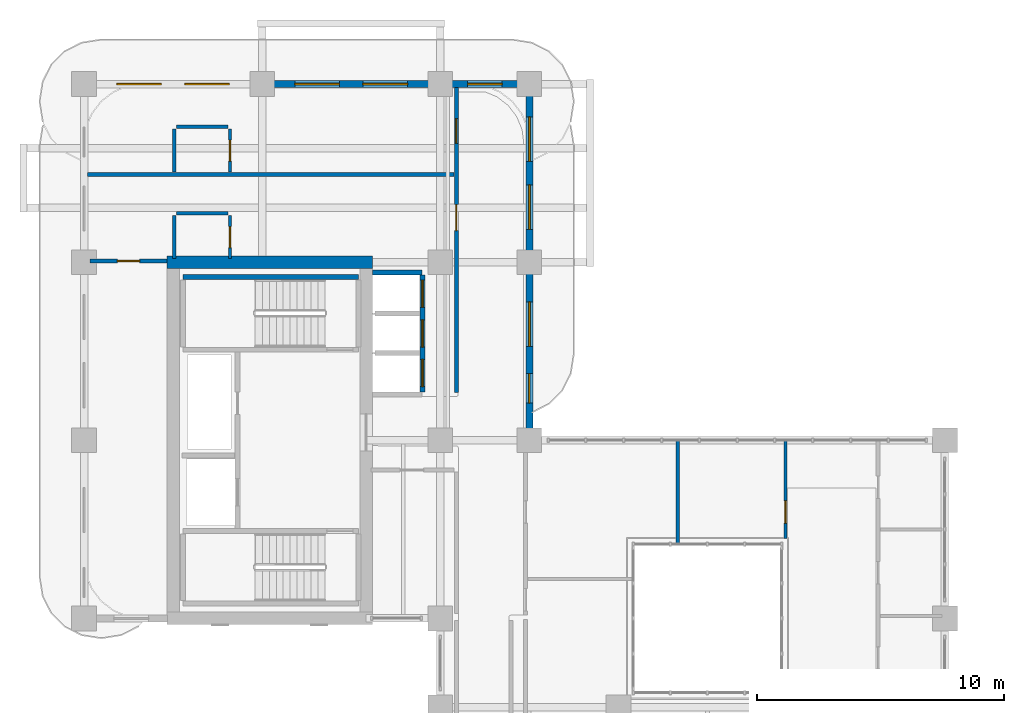
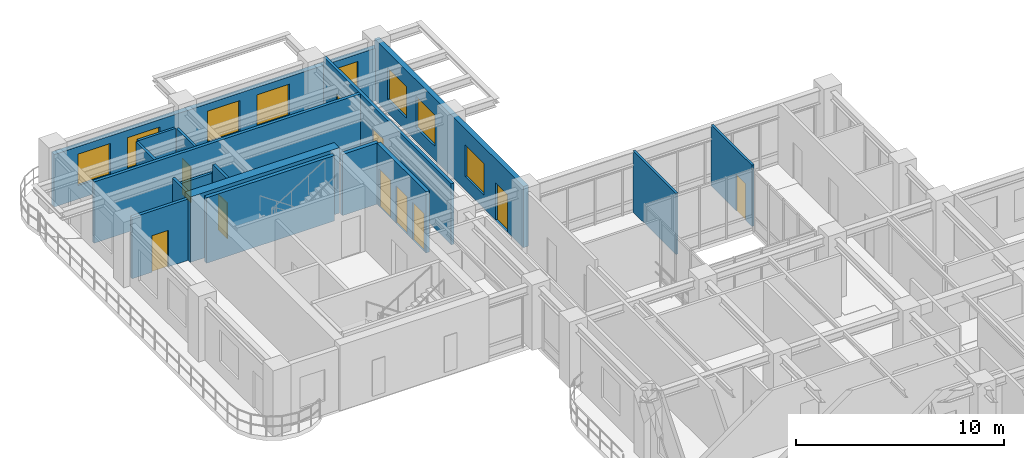
# One storey, part 15 of 20: 17 walls, 10 doors, 8 windows, 18 openings.
"""IFC4 building model written with IfcOpenShell, lengths in metres."""

from ifc_helpers import new_model, si_unit, derived_unit, direction, frame, frame_2d, origin, place, context, subcontext, project, spatial, rectangle, extrude, source, transform, mapped, material, layer, layer_set, type_object, type_shapes, element, fill, save


model = new_model("IFC4")

# Units and contexts
model_context = context("Model", 3, precision=1e-05, world=origin(), true_north=direction((0.0, 1.0)))
body_context = subcontext(model_context, "Body", "Model", "MODEL_VIEW")
ifc_project = project(units=[si_unit("LENGTHUNIT", "METRE"), si_unit("AREAUNIT", "SQUARE_METRE"), si_unit("VOLUMEUNIT", "CUBIC_METRE"), si_unit("PLANEANGLEUNIT", "RADIAN"), si_unit("MASSUNIT", "GRAM", prefix="KILO"), si_unit("THERMODYNAMICTEMPERATUREUNIT", "KELVIN"), si_unit("POWERUNIT", "WATT"), derived_unit("THERMALTRANSMITTANCEUNIT", [(si_unit("POWERUNIT", "WATT"), 1), (si_unit("AREAUNIT", "SQUARE_METRE"), -1), (si_unit("THERMODYNAMICTEMPERATUREUNIT", "KELVIN"), -1)])], contexts=[model_context])

# Site, building, storey
site_placement = place(None, origin())
site = spatial("IfcSite", under=ifc_project, at=site_placement, CompositionType="ELEMENT")
building_placement = place(site_placement, origin())
building = spatial("IfcBuilding", under=site, at=building_placement, Name="Zahravan Archway Hotel and Residences", CompositionType="ELEMENT")
storey_placement = place(building_placement, frame((0.0, 0.0, 173.39990234375)))
storey = spatial("IfcBuildingStorey", under=building, at=storey_placement, Name="L43", CompositionType="ELEMENT", Elevation=173.39990234375)

# Wall
ifc_material_1 = material(Name="Concrete C60/75", Category="concrete")
ifc_layer_1 = layer(ifc_material_1, 0.5, Name="Concrete C60/75", Category="concrete")
ifc_layer_set_1 = layer_set([ifc_layer_1], Name="Concrete C60/75")
wall_type_1 = type_object("IfcWallType", Name="CW-CORE-500", PredefinedType="SHEAR", material=ifc_layer_set_1)
wall_1_placement = place(storey_placement, frame((3.35009765625, 39.60009765625, 0.0), z_axis=(0.0, 0.0, 1.0), x_axis=(1.0, 0.0, 0.0)))
element("IfcWall", 1, at=wall_1_placement, inside=storey, type_object=wall_type_1, Name="L43 Core B Shear N Wall 500 mm", PredefinedType="SHEAR", context=body_context, shape_type="SweptSolid", body=[
    extrude(rectangle(XDim=8.2998046875, YDim=0.5, at=frame_2d((4.14990234375, 0.0))), origin(), (0.0, 0.0, 1.0), 3.85009765625),
])

# Wall, openings, windows
ifc_material_2 = material(Name="Honed Red-Ochre Sandstone & Insulated Block", Category="masonry")
ifc_layer_2 = layer(ifc_material_2, 0.280029296875, Name="Honed Red-Ochre Sandstone & Insulated Block", Category="masonry")
ifc_layer_set_2 = layer_set([ifc_layer_2], Name="Honed Red-Ochre Sandstone & Insulated Block")
wall_type_2 = type_object("IfcWallType", Name="EW-LOG-280", PredefinedType="SOLIDWALL", material=ifc_layer_set_2)
wall_2_placement = place(storey_placement, frame((0.0, 46.800048828125, 0.0), z_axis=(0.0, 0.0, 1.0), x_axis=(1.0, 0.0, 0.0)))
wall_2 = element("IfcWall", 2, at=wall_2_placement, inside=storey, type_object=wall_type_2, Name="L43 Exterior Sandstone Wall WB-N", PredefinedType="SOLIDWALL", context=body_context, shape_type="SweptSolid", body=[
    extrude(rectangle(XDim=18.0, YDim=0.280029296875, at=frame_2d((9.0, 0.0))), origin(), (0.0, 0.0, 1.0), 3.085205078125),
])
opening_1_placement = place(wall_2_placement, frame((1.324951171875, 0.0, 0.800048828125)))
opening_1 = element("IfcOpeningElement", 3, at=opening_1_placement, cuts=wall_2, Name="Opening W-02", PredefinedType="OPENING", context=body_context, shape_type="SweptSolid", body=[
    extrude(rectangle(XDim=1.800048828125, YDim=1.85009765625, at=frame_2d((0.89990234375, 0.925048828125))), frame((0.0, 0.14990234375, 0.0), z_axis=(0.0, -1.0, 0.0), x_axis=(1.0, 0.0, 0.0)), (0.0, 0.0, 1.0), 0.300048828125),
])
opening_2_placement = place(wall_2_placement, frame((4.074951171875, 0.0, 0.800048828125)))
opening_2 = element("IfcOpeningElement", 4, at=opening_2_placement, cuts=wall_2, Name="Opening W-02", PredefinedType="OPENING", context=body_context, shape_type="SweptSolid", body=[
    extrude(rectangle(XDim=1.800048828125, YDim=1.85009765625, at=frame_2d((0.89990234375, 0.925048828125))), frame((0.0, 0.14990234375, 0.0), z_axis=(0.0, -1.0, 0.0), x_axis=(1.0, 0.0, 0.0)), (0.0, 0.0, 1.0), 0.300048828125),
])
opening_3_placement = place(wall_2_placement, frame((8.52490234375, 0.0, 0.800048828125)))
opening_3 = element("IfcOpeningElement", 5, at=opening_3_placement, cuts=wall_2, Name="Opening W-02", PredefinedType="OPENING", context=body_context, shape_type="SweptSolid", body=[
    extrude(rectangle(XDim=1.800048828125, YDim=1.85009765625, at=frame_2d((0.89990234375, 0.925048828125))), frame((0.0, 0.14990234375, 0.0), z_axis=(0.0, -1.0, 0.0), x_axis=(1.0, 0.0, 0.0)), (0.0, 0.0, 1.0), 0.300048828125),
])
opening_4_placement = place(wall_2_placement, frame((11.27490234375, 0.0, 0.800048828125)))
opening_4 = element("IfcOpeningElement", 6, at=opening_4_placement, cuts=wall_2, Name="Opening W-02", PredefinedType="OPENING", context=body_context, shape_type="SweptSolid", body=[
    extrude(rectangle(XDim=1.800048828125, YDim=1.85009765625, at=frame_2d((0.89990234375, 0.925048828125))), frame((0.0, 0.14990234375, 0.0), z_axis=(0.0, -1.0, 0.0), x_axis=(1.0, 0.0, 0.0)), (0.0, 0.0, 1.0), 0.300048828125),
])
opening_5_placement = place(wall_2_placement, frame((15.5, 0.0, 0.800048828125)))
opening_5 = element("IfcOpeningElement", 7, at=opening_5_placement, cuts=wall_2, Name="Opening W-03", PredefinedType="OPENING", context=body_context, shape_type="SweptSolid", body=[
    extrude(rectangle(XDim=1.39990234375, YDim=1.85009765625, at=frame_2d((0.699951171875, 0.925048828125))), frame((0.0, 0.14990234375, 0.0), z_axis=(0.0, -1.0, 0.0), x_axis=(1.0, 0.0, 0.0)), (0.0, 0.0, 1.0), 0.300048828125),
])
ifc_material_3 = material(Name="Bronze-Anodized Thermal-Break Aluminium & Low-E Glass", Category="aluminium")
window_type_1 = type_object("IfcWindowType", Name="WIN-TWR-1400", PartitioningType="SINGLE_PANEL", PredefinedType="WINDOW", material=ifc_material_3)
shared_shape_1 = source(origin(), body_context, "Body", "SweptSolid", [
    extrude(rectangle(XDim=1.39990234375, YDim=1.85009765625, at=frame_2d((0.699951171875, 0.925048828125))), frame((0.0, 0.030029296875, 0.0), z_axis=(0.0, -1.0, 0.0), x_axis=(1.0, 0.0, 0.0)), (0.0, 0.0, 1.0), 0.06005859375),
])
type_shapes(window_type_1, [shared_shape_1])
window_1_placement = place(opening_5_placement, origin())
window_1 = element("IfcWindow", 8, at=window_1_placement, inside=storey, type_object=window_type_1, Name="L43 Loggia Window 31", OverallHeight=1.85009765625, OverallWidth=1.39990234375, PartitioningType="SINGLE_PANEL", PredefinedType="WINDOW", context=body_context, shape_type="MappedRepresentation", body=[
    mapped(shared_shape_1, transform((0.0, 0.0, 0.0), scale=1.0)),
])
fill(opening_5, window_1)
window_type_2 = type_object("IfcWindowType", Name="WIN-TWR-1800", PartitioningType="DOUBLE_PANEL_VERTICAL", PredefinedType="WINDOW", material=ifc_material_3)
shared_shape_2 = source(origin(), body_context, "Body", "SweptSolid", [
    extrude(rectangle(XDim=1.800048828125, YDim=1.85009765625, at=frame_2d((0.89990234375, 0.925048828125))), frame((0.0, 0.030029296875, 0.0), z_axis=(0.0, -1.0, 0.0), x_axis=(1.0, 0.0, 0.0)), (0.0, 0.0, 1.0), 0.06005859375),
])
type_shapes(window_type_2, [shared_shape_2])
window_2_placement = place(opening_1_placement, origin())
window_2 = element("IfcWindow", 9, at=window_2_placement, inside=storey, type_object=window_type_2, Name="L43 Loggia Window 27", OverallHeight=1.85009765625, OverallWidth=1.800048828125, PartitioningType="DOUBLE_PANEL_VERTICAL", PredefinedType="WINDOW", context=body_context, shape_type="MappedRepresentation", body=[
    mapped(shared_shape_2, transform((0.0, 0.0, 0.0), scale=1.0)),
])
fill(opening_1, window_2)
window_3_placement = place(opening_2_placement, origin())
window_3 = element("IfcWindow", 10, at=window_3_placement, inside=storey, type_object=window_type_2, Name="L43 Loggia Window 28", OverallHeight=1.85009765625, OverallWidth=1.800048828125, PartitioningType="DOUBLE_PANEL_VERTICAL", PredefinedType="WINDOW", context=body_context, shape_type="MappedRepresentation", body=[
    mapped(shared_shape_2, transform((0.0, 0.0, 0.0), scale=1.0)),
])
fill(opening_2, window_3)
window_4_placement = place(opening_3_placement, origin())
window_4 = element("IfcWindow", 11, at=window_4_placement, inside=storey, type_object=window_type_2, Name="L43 Loggia Window 29", OverallHeight=1.85009765625, OverallWidth=1.800048828125, PartitioningType="DOUBLE_PANEL_VERTICAL", PredefinedType="WINDOW", context=body_context, shape_type="MappedRepresentation", body=[
    mapped(shared_shape_2, transform((0.0, 0.0, 0.0), scale=1.0)),
])
fill(opening_3, window_4)
window_5_placement = place(opening_4_placement, origin())
window_5 = element("IfcWindow", 12, at=window_5_placement, inside=storey, type_object=window_type_2, Name="L43 Loggia Window 30", OverallHeight=1.85009765625, OverallWidth=1.800048828125, PartitioningType="DOUBLE_PANEL_VERTICAL", PredefinedType="WINDOW", context=body_context, shape_type="MappedRepresentation", body=[
    mapped(shared_shape_2, transform((0.0, 0.0, 0.0), scale=1.0)),
])
fill(opening_4, window_5)

# Wall, openings, door, windows
wall_3_placement = place(storey_placement, frame((18.0, 32.39990234375, 0.0), z_axis=(0.0, 0.0, 1.0), x_axis=(0.0, 1.0, 0.0)))
wall_3 = element("IfcWall", 13, at=wall_3_placement, inside=storey, type_object=wall_type_2, Name="L43 Exterior Sandstone Wall WB-EU", PredefinedType="SOLIDWALL", context=body_context, shape_type="SweptSolid", body=[
    extrude(rectangle(XDim=14.35009765625, YDim=0.280029296875, at=frame_2d((7.175048828125, 0.0))), origin(), (0.0, 0.0, 1.0), 3.60009765625),
])
opening_6_placement = place(wall_3_placement, frame((1.5, 0.0, 0.0)))
opening_6 = element("IfcOpeningElement", 14, at=opening_6_placement, cuts=wall_3, Name="Opening ED-BL1", PredefinedType="OPENING", context=body_context, shape_type="SweptSolid", body=[
    extrude(rectangle(XDim=1.199951171875, YDim=2.199951171875, at=frame_2d((0.60009765625, 1.10009765625))), frame((0.0, 0.14990234375, 0.0), z_axis=(0.0, -1.0, 0.0), x_axis=(1.0, 0.0, 0.0)), (0.0, 0.0, 1.0), 0.300048828125),
])
opening_7_placement = place(wall_3_placement, frame((3.800048828125, 0.0, 0.800048828125)))
opening_7 = element("IfcOpeningElement", 15, at=opening_7_placement, cuts=wall_3, Name="Opening W-02", PredefinedType="OPENING", context=body_context, shape_type="SweptSolid", body=[
    extrude(rectangle(XDim=1.800048828125, YDim=1.85009765625, at=frame_2d((0.89990234375, 0.925048828125))), frame((0.0, 0.14990234375, 0.0), z_axis=(0.0, -1.0, 0.0), x_axis=(1.0, 0.0, 0.0)), (0.0, 0.0, 1.0), 0.300048828125),
])
opening_8_placement = place(wall_3_placement, frame((8.52490234375, 0.0, 0.800048828125)))
opening_8 = element("IfcOpeningElement", 16, at=opening_8_placement, cuts=wall_3, Name="Opening W-02", PredefinedType="OPENING", context=body_context, shape_type="SweptSolid", body=[
    extrude(rectangle(XDim=1.800048828125, YDim=1.85009765625, at=frame_2d((0.89990234375, 0.925048828125))), frame((0.0, 0.14990234375, 0.0), z_axis=(0.0, -1.0, 0.0), x_axis=(1.0, 0.0, 0.0)), (0.0, 0.0, 1.0), 0.300048828125),
])
opening_9_placement = place(wall_3_placement, frame((11.27490234375, 0.0, 0.800048828125)))
opening_9 = element("IfcOpeningElement", 17, at=opening_9_placement, cuts=wall_3, Name="Opening W-02", PredefinedType="OPENING", context=body_context, shape_type="SweptSolid", body=[
    extrude(rectangle(XDim=1.800048828125, YDim=1.85009765625, at=frame_2d((0.89990234375, 0.925048828125))), frame((0.0, 0.14990234375, 0.0), z_axis=(0.0, -1.0, 0.0), x_axis=(1.0, 0.0, 0.0)), (0.0, 0.0, 1.0), 0.300048828125),
])
ifc_material_4 = material(Name="Bronze-Anodized Glazed Aluminium", Category="aluminium")
door_type_1 = type_object("IfcDoorType", Name="ED-BALC-1200", OperationType="SLIDING_TO_LEFT", PredefinedType="DOOR", material=ifc_material_4)
shared_shape_3 = source(origin(), body_context, "Body", "SweptSolid", [
    extrude(rectangle(XDim=1.199951171875, YDim=2.199951171875, at=frame_2d((0.60009765625, 1.10009765625))), frame((0.0, 0.02490234375, 0.0), z_axis=(0.0, -1.0, 0.0), x_axis=(1.0, 0.0, 0.0)), (0.0, 0.0, 1.0), 0.050048828125),
])
type_shapes(door_type_1, [shared_shape_3])
door_1_placement = place(opening_6_placement, origin())
door_1 = element("IfcDoor", 18, at=door_1_placement, inside=storey, type_object=door_type_1, Name="L43 Outdoor Access Sliding Door (SLB-BAL-L43-EB)", OperationType="SLIDING_TO_LEFT", OverallHeight=2.199951171875, OverallWidth=1.199951171875, PredefinedType="DOOR", context=body_context, shape_type="MappedRepresentation", body=[
    mapped(shared_shape_3, transform((0.0, 0.0, 0.0), scale=1.0)),
])
fill(opening_6, door_1)
window_6_placement = place(opening_7_placement, origin())
window_6 = element("IfcWindow", 19, at=window_6_placement, inside=storey, type_object=window_type_2, Name="L43 Loggia Window 32", OverallHeight=1.85009765625, OverallWidth=1.800048828125, PartitioningType="DOUBLE_PANEL_VERTICAL", PredefinedType="WINDOW", context=body_context, shape_type="MappedRepresentation", body=[
    mapped(shared_shape_2, transform((0.0, 0.0, 0.0), scale=1.0)),
])
fill(opening_7, window_6)
window_7_placement = place(opening_8_placement, origin())
window_7 = element("IfcWindow", 20, at=window_7_placement, inside=storey, type_object=window_type_2, Name="L43 Loggia Window 33", OverallHeight=1.85009765625, OverallWidth=1.800048828125, PartitioningType="DOUBLE_PANEL_VERTICAL", PredefinedType="WINDOW", context=body_context, shape_type="MappedRepresentation", body=[
    mapped(shared_shape_2, transform((0.0, 0.0, 0.0), scale=1.0)),
])
fill(opening_8, window_7)
window_8_placement = place(opening_9_placement, origin())
window_8 = element("IfcWindow", 21, at=window_8_placement, inside=storey, type_object=window_type_2, Name="L43 Loggia Window 34", OverallHeight=1.85009765625, OverallWidth=1.800048828125, PartitioningType="DOUBLE_PANEL_VERTICAL", PredefinedType="WINDOW", context=body_context, shape_type="MappedRepresentation", body=[
    mapped(shared_shape_2, transform((0.0, 0.0, 0.0), scale=1.0)),
])
fill(opening_9, window_8)

# Wall, openings, doors
ifc_material_5 = material(Name="Fire-Rated Gypsum & Concrete Block", Category="concrete")
ifc_layer_3 = layer(ifc_material_5, 0.159912109375, Name="Fire-Rated Gypsum & Concrete Block", Category="concrete")
ifc_layer_set_3 = layer_set([ifc_layer_3], Name="Fire-Rated Gypsum & Concrete Block")
wall_type_3 = type_object("IfcWallType", Name="PW-CORR-160", PredefinedType="PARTITIONING", material=ifc_layer_set_3)
wall_4_placement = place(storey_placement, frame((15.050048828125, 34.340087890625, 0.0), z_axis=(0.0, 0.0, 1.0), x_axis=(0.0, 1.0, 0.0)))
wall_4 = element("IfcWall", 22, at=wall_4_placement, inside=storey, type_object=wall_type_3, Name="L43 Partition WBN-C", PredefinedType="PARTITIONING", context=body_context, shape_type="SweptSolid", body=[
    extrude(rectangle(XDim=12.31201171875, YDim=0.159912109375, at=frame_2d((6.156005859375, 0.0))), origin(), (0.0, 0.0, 1.0), 3.60009765625),
])
opening_10_placement = place(wall_4_placement, frame((6.534912109375, 0.0, 0.0)))
opening_10 = element("IfcOpeningElement", 23, at=opening_10_placement, cuts=wall_4, Name="Opening D-U1", PredefinedType="OPENING", context=body_context, shape_type="SweptSolid", body=[
    extrude(rectangle(XDim=1.050048828125, YDim=2.25, at=frame_2d((0.52490234375, 1.125))), frame((0.0, 0.08984375, 0.0), z_axis=(0.0, -1.0, 0.0), x_axis=(1.0, 0.0, 0.0)), (0.0, 0.0, 1.0), 0.179931640625),
])
opening_11_placement = place(wall_4_placement, frame((10.06005859375, 0.0, 0.0)))
opening_11 = element("IfcOpeningElement", 24, at=opening_11_placement, cuts=wall_4, Name="Opening D-U2", PredefinedType="OPENING", context=body_context, shape_type="SweptSolid", body=[
    extrude(rectangle(XDim=1.0, YDim=2.199951171875, at=frame_2d((0.5, 1.10009765625))), frame((0.0, 0.08984375, 0.0), z_axis=(0.0, -1.0, 0.0), x_axis=(1.0, 0.0, 0.0)), (0.0, 0.0, 1.0), 0.179931640625),
])
ifc_material_6 = material(Name="Hardwood Veneer Timber", Category="wood")
door_type_2 = type_object("IfcDoorType", Name="ID-UNIT-1050", OperationType="NOTDEFINED", PredefinedType="DOOR", material=ifc_material_6)
shared_shape_4 = source(origin(), body_context, "Body", "SweptSolid", [
    extrude(rectangle(XDim=1.050048828125, YDim=2.25, at=frame_2d((0.52490234375, 1.125))), frame((0.0, 0.02490234375, 0.0), z_axis=(0.0, -1.0, 0.0), x_axis=(1.0, 0.0, 0.0)), (0.0, 0.0, 1.0), 0.050048828125),
])
type_shapes(door_type_2, [shared_shape_4])
door_2_placement = place(opening_10_placement, origin())
door_2 = element("IfcDoor", 25, at=door_2_placement, inside=storey, type_object=door_type_2, Name="L43 Hotel Guestroom 76 Entrance Door", OperationType="SINGLE_SWING_RIGHT", OverallHeight=2.25, OverallWidth=1.050048828125, PredefinedType="DOOR", context=body_context, shape_type="MappedRepresentation", body=[
    mapped(shared_shape_4, transform((0.0, 0.0, 0.0), scale=1.0)),
])
fill(opening_10, door_2)
door_type_3 = type_object("IfcDoorType", Name="ID-UNIT-1000", OperationType="NOTDEFINED", PredefinedType="DOOR", material=ifc_material_6)
shared_shape_5 = source(origin(), body_context, "Body", "SweptSolid", [
    extrude(rectangle(XDim=1.0, YDim=2.199951171875, at=frame_2d((0.5, 1.10009765625))), frame((0.0, 0.02490234375, 0.0), z_axis=(0.0, -1.0, 0.0), x_axis=(1.0, 0.0, 0.0)), (0.0, 0.0, 1.0), 0.050048828125),
])
type_shapes(door_type_3, [shared_shape_5])
door_3_placement = place(opening_11_placement, origin())
door_3 = element("IfcDoor", 26, at=door_3_placement, inside=storey, type_object=door_type_3, Name="L43 Hotel Guestroom 77 Entrance Door", OperationType="SINGLE_SWING_LEFT", OverallHeight=2.199951171875, OverallWidth=1.0, PredefinedType="DOOR", context=body_context, shape_type="MappedRepresentation", body=[
    mapped(shared_shape_5, transform((0.0, 0.0, 0.0), scale=1.0)),
])
fill(opening_11, door_3)

# Wall
ifc_material_7 = material(Name="Acoustic Stud Partition")
ifc_layer_4 = layer(ifc_material_7, 0.125, Name="Acoustic Stud Partition")
ifc_layer_set_4 = layer_set([ifc_layer_4], Name="Acoustic Stud Partition")
wall_type_4 = type_object("IfcWallType", Name="PW-INT-125", PredefinedType="PARTITIONING", material=ifc_layer_set_4)
wall_5_placement = place(storey_placement, frame((24.0, 28.22802734375, 0.0), z_axis=(0.0, 0.0, 1.0), x_axis=(0.0, 1.0, 0.0)))
element("IfcWall", 27, at=wall_5_placement, inside=storey, type_object=wall_type_4, Name="L43 Partition ATR-NW3B", PredefinedType="PARTITIONING", context=body_context, shape_type="SweptSolid", body=[
    extrude(rectangle(XDim=4.14404296875, YDim=0.125, at=frame_2d((2.072021484375, 0.0))), origin(), (0.0, 0.0, 1.0), 3.60009765625),
])

# Wall, opening, door
wall_6_placement = place(storey_placement, frame((28.35009765625, 28.43994140625, 0.0), z_axis=(0.0, 0.0, 1.0), x_axis=(0.0, 1.0, 0.0)))
wall_6 = element("IfcWall", 28, at=wall_6_placement, inside=storey, type_object=wall_type_4, Name="L43 Partition ATR-NWE", PredefinedType="PARTITIONING", context=body_context, shape_type="SweptSolid", body=[
    extrude(rectangle(XDim=3.93212890625, YDim=0.125, at=frame_2d((1.966064453125, 0.0))), origin(), (0.0, 0.0, 1.0), 3.60009765625),
])
opening_12_placement = place(wall_6_placement, frame((0.610107421875, 0.0, 0.0)))
opening_12 = element("IfcOpeningElement", 29, at=opening_12_placement, cuts=wall_6, Name="Opening D-I2", PredefinedType="OPENING", context=body_context, shape_type="SweptSolid", body=[
    extrude(rectangle(XDim=0.89990234375, YDim=2.14990234375, at=frame_2d((0.449951171875, 1.074951171875))), frame((0.0, 0.072509765625, 0.0), z_axis=(0.0, -1.0, 0.0), x_axis=(1.0, 0.0, 0.0)), (0.0, 0.0, 1.0), 0.14501953125),
])
door_type_4 = type_object("IfcDoorType", Name="ID-INT-900", OperationType="NOTDEFINED", PredefinedType="DOOR", material=ifc_material_6)
shared_shape_6 = source(origin(), body_context, "Body", "SweptSolid", [
    extrude(rectangle(XDim=0.89990234375, YDim=2.14990234375, at=frame_2d((0.449951171875, 1.074951171875))), frame((0.0, 0.02490234375, 0.0), z_axis=(0.0, -1.0, 0.0), x_axis=(1.0, 0.0, 0.0)), (0.0, 0.0, 1.0), 0.050048828125),
])
type_shapes(door_type_4, [shared_shape_6])
door_4_placement = place(opening_12_placement, origin())
door_4 = element("IfcDoor", 30, at=door_4_placement, inside=storey, type_object=door_type_4, Name="L43 Atrium NE Study Door", OperationType="SINGLE_SWING_RIGHT", OverallHeight=2.14990234375, OverallWidth=0.89990234375, PredefinedType="DOOR", context=body_context, shape_type="MappedRepresentation", body=[
    mapped(shared_shape_6, transform((0.0, 0.0, 0.0), scale=1.0)),
])
fill(opening_12, door_4)

# Wall
ifc_layer_5 = layer(ifc_material_5, 0.199951171875, Name="Fire-Rated Gypsum & Concrete Block", Category="concrete")
ifc_layer_set_5 = layer_set([ifc_layer_5], Name="Fire-Rated Gypsum & Concrete Block")
wall_type_5 = type_object("IfcWallType", Name="PW-SHAFT-200", PredefinedType="PARTITIONING", material=ifc_layer_set_5)
wall_7_placement = place(storey_placement, frame((11.659912109375, 39.18994140625, 0.0), z_axis=(0.0, 0.0, 1.0), x_axis=(1.0, 0.0, 0.0)))
element("IfcWall", 31, at=wall_7_placement, inside=storey, type_object=wall_type_5, Name="L43 Partition B2-N", PredefinedType="PARTITIONING", context=body_context, shape_type="SweptSolid", body=[
    extrude(rectangle(XDim=2.010009765625, YDim=0.199951171875, at=frame_2d((1.0048828125, 0.0))), origin(), (0.0, 0.0, 1.0), 3.60009765625),
])

# Wall, openings, doors
wall_8_placement = place(storey_placement, frame((13.679931640625, 34.360107421875, 0.0), z_axis=(0.0, 0.0, 1.0), x_axis=(0.0, 1.0, 0.0)))
wall_8 = element("IfcWall", 32, at=wall_8_placement, inside=storey, type_object=wall_type_5, Name="L43 Partition B2-E", PredefinedType="PARTITIONING", context=body_context, shape_type="SweptSolid", body=[
    extrude(rectangle(XDim=4.719970703125, YDim=0.199951171875, at=frame_2d((2.35986328125, 0.0))), origin(), (0.0, 0.0, 1.0), 3.60009765625),
])
opening_13_placement = place(wall_8_placement, frame((0.2099609375, 0.0, 0.0)))
opening_13 = element("IfcOpeningElement", 33, at=opening_13_placement, cuts=wall_8, Name="Opening LD", PredefinedType="OPENING", context=body_context, shape_type="SweptSolid", body=[
    extrude(rectangle(XDim=1.10009765625, YDim=2.199951171875, at=frame_2d((0.550048828125, 1.10009765625))), frame((0.0, 0.10986328125, 0.0), z_axis=(0.0, -1.0, 0.0), x_axis=(1.0, 0.0, 0.0)), (0.0, 0.0, 1.0), 0.219970703125),
])
opening_14_placement = place(wall_8_placement, frame((1.81005859375, 0.0, 0.0)))
opening_14 = element("IfcOpeningElement", 34, at=opening_14_placement, cuts=wall_8, Name="Opening LD", PredefinedType="OPENING", context=body_context, shape_type="SweptSolid", body=[
    extrude(rectangle(XDim=1.10009765625, YDim=2.199951171875, at=frame_2d((0.550048828125, 1.10009765625))), frame((0.0, 0.10986328125, 0.0), z_axis=(0.0, -1.0, 0.0), x_axis=(1.0, 0.0, 0.0)), (0.0, 0.0, 1.0), 0.219970703125),
])
opening_15_placement = place(wall_8_placement, frame((3.409912109375, 0.0, 0.0)))
opening_15 = element("IfcOpeningElement", 35, at=opening_15_placement, cuts=wall_8, Name="Opening LD", PredefinedType="OPENING", context=body_context, shape_type="SweptSolid", body=[
    extrude(rectangle(XDim=1.10009765625, YDim=2.199951171875, at=frame_2d((0.550048828125, 1.10009765625))), frame((0.0, 0.10986328125, 0.0), z_axis=(0.0, -1.0, 0.0), x_axis=(1.0, 0.0, 0.0)), (0.0, 0.0, 1.0), 0.219970703125),
])
ifc_material_8 = material(Name="Brushed Stainless Steel", Category="steel")
door_type_5 = type_object("IfcDoorType", Name="DR-LIFT-LD", OperationType="SLIDING_TO_LEFT", PredefinedType="DOOR", material=ifc_material_8)
shared_shape_7 = source(origin(), body_context, "Body", "SweptSolid", [
    extrude(rectangle(XDim=1.10009765625, YDim=2.199951171875, at=frame_2d((0.550048828125, 1.10009765625))), frame((0.0, 0.02490234375, 0.0), z_axis=(0.0, -1.0, 0.0), x_axis=(1.0, 0.0, 0.0)), (0.0, 0.0, 1.0), 0.050048828125),
])
type_shapes(door_type_5, [shared_shape_7])
door_5_placement = place(opening_13_placement, origin())
door_5 = element("IfcDoor", 36, at=door_5_placement, inside=storey, type_object=door_type_5, Name="L43 Lift LP-4 Sliding Landing Door", OperationType="SLIDING_TO_LEFT", OverallHeight=2.199951171875, OverallWidth=1.10009765625, PredefinedType="DOOR", context=body_context, shape_type="MappedRepresentation", body=[
    mapped(shared_shape_7, transform((0.0, 0.0, 0.0), scale=1.0)),
])
fill(opening_13, door_5)
door_6_placement = place(opening_14_placement, origin())
door_6 = element("IfcDoor", 37, at=door_6_placement, inside=storey, type_object=door_type_5, Name="L43 Lift LP-5 Sliding Landing Door", OperationType="SLIDING_TO_LEFT", OverallHeight=2.199951171875, OverallWidth=1.10009765625, PredefinedType="DOOR", context=body_context, shape_type="MappedRepresentation", body=[
    mapped(shared_shape_7, transform((0.0, 0.0, 0.0), scale=1.0)),
])
fill(opening_14, door_6)
door_7_placement = place(opening_15_placement, origin())
door_7 = element("IfcDoor", 38, at=door_7_placement, inside=storey, type_object=door_type_5, Name="L43 Lift LP-6 Sliding Landing Door", OperationType="SLIDING_TO_LEFT", OverallHeight=2.199951171875, OverallWidth=1.10009765625, PredefinedType="DOOR", context=body_context, shape_type="MappedRepresentation", body=[
    mapped(shared_shape_7, transform((0.0, 0.0, 0.0), scale=1.0)),
])
fill(opening_15, door_7)

# Wall, opening, door
ifc_layer_6 = layer(ifc_material_7, 0.169921875, Name="Acoustic Stud Partition")
ifc_layer_set_6 = layer_set([ifc_layer_6], Name="Acoustic Stud Partition")
wall_type_6 = type_object("IfcWallType", Name="PW-UNIT-170", PredefinedType="PARTITIONING", material=ifc_layer_set_6)
wall_9_placement = place(storey_placement, frame((0.239990234375, 39.64990234375, 0.0), z_axis=(0.0, 0.0, 1.0), x_axis=(1.0, 0.0, 0.0)))
wall_9 = element("IfcWall", 39, at=wall_9_placement, inside=storey, type_object=wall_type_6, Name="L43 Partition WBW-N", PredefinedType="PARTITIONING", context=body_context, shape_type="SweptSolid", body=[
    extrude(rectangle(XDim=3.1201171875, YDim=0.169921875, at=frame_2d((1.56005859375, 0.0))), origin(), (0.0, 0.0, 1.0), 3.60009765625),
])
opening_16_placement = place(wall_9_placement, frame((1.110107421875, 0.0, 0.0)))
opening_16 = element("IfcOpeningElement", 40, at=opening_16_placement, cuts=wall_9, Name="Opening D-I2", PredefinedType="OPENING", context=body_context, shape_type="SweptSolid", body=[
    extrude(rectangle(XDim=0.89990234375, YDim=2.14990234375, at=frame_2d((0.449951171875, 1.074951171875))), frame((0.0, 0.094970703125, 0.0), z_axis=(0.0, -1.0, 0.0), x_axis=(1.0, 0.0, 0.0)), (0.0, 0.0, 1.0), 0.18994140625),
])
door_8_placement = place(opening_16_placement, origin())
door_8 = element("IfcDoor", 41, at=door_8_placement, inside=storey, type_object=door_type_4, Name="L43 West Loggia Salon Door", OperationType="SINGLE_SWING_RIGHT", OverallHeight=2.14990234375, OverallWidth=0.89990234375, PredefinedType="DOOR", context=body_context, shape_type="MappedRepresentation", body=[
    mapped(shared_shape_6, transform((0.0, 0.0, 0.0), scale=1.0)),
])
fill(opening_16, door_8)

# Walls
wall_10_placement = place(storey_placement, frame((0.14794921875, 43.14990234375, 0.0), z_axis=(0.0, 0.0, 1.0), x_axis=(1.0, 0.0, 0.0)))
element("IfcWall", 42, at=wall_10_placement, inside=storey, type_object=wall_type_6, Name="L43 Partition WBN-M0", PredefinedType="PARTITIONING", context=body_context, shape_type="SweptSolid", body=[
    extrude(rectangle(XDim=14.81201171875, YDim=0.169921875, at=frame_2d((7.406005859375, 0.0))), origin(), (0.0, 0.0, 1.0), 3.60009765625),
])
ifc_material_9 = material(Name="Moisture-Resistant Blockwork", Category="masonry")
ifc_layer_7 = layer(ifc_material_9, 0.139892578125, Name="Moisture-Resistant Blockwork", Category="masonry")
ifc_layer_set_7 = layer_set([ifc_layer_7], Name="Moisture-Resistant Blockwork")
wall_type_7 = type_object("IfcWallType", Name="PW-WET-140", PredefinedType="PARTITIONING", material=ifc_layer_set_7)
wall_11_placement = place(storey_placement, frame((3.64990234375, 39.739990234375, 0.0), z_axis=(0.0, 0.0, 1.0), x_axis=(0.0, 1.0, 0.0)))
element("IfcWall", 43, at=wall_11_placement, inside=storey, type_object=wall_type_7, Name="L43 Partition HKB-VL76", PredefinedType="PARTITIONING", context=body_context, shape_type="SweptSolid", body=[
    extrude(rectangle(XDim=1.7451171875, YDim=0.139892578125, at=frame_2d((0.87255859375, 0.0))), origin(), (0.0, 0.0, 1.0), 3.60009765625),
])
wall_12_placement = place(storey_placement, frame((3.739990234375, 41.574951171875, 0.0), z_axis=(0.0, 0.0, 1.0), x_axis=(1.0, 0.0, 0.0)))
element("IfcWall", 44, at=wall_12_placement, inside=storey, type_object=wall_type_7, Name="L43 Partition HKB-H76", PredefinedType="PARTITIONING", context=body_context, shape_type="SweptSolid", body=[
    extrude(rectangle(XDim=2.070068359375, YDim=0.139892578125, at=frame_2d((1.03515625, 0.0))), origin(), (0.0, 0.0, 1.0), 3.085205078125),
])

# Wall, opening, door
wall_13_placement = place(storey_placement, frame((5.89990234375, 39.739990234375, 0.0), z_axis=(0.0, 0.0, 1.0), x_axis=(0.0, 1.0, 0.0)))
wall_13 = element("IfcWall", 45, at=wall_13_placement, inside=storey, type_object=wall_type_7, Name="L43 Partition HKB-V76", PredefinedType="PARTITIONING", context=body_context, shape_type="SweptSolid", body=[
    extrude(rectangle(XDim=1.7451171875, YDim=0.139892578125, at=frame_2d((0.87255859375, 0.0))), origin(), (0.0, 0.0, 1.0), 3.60009765625),
])
opening_17_placement = place(wall_13_placement, frame((0.447509765625, 0.0, 0.0)))
opening_17 = element("IfcOpeningElement", 46, at=opening_17_placement, cuts=wall_13, Name="Opening D-B1", PredefinedType="OPENING", context=body_context, shape_type="SweptSolid", body=[
    extrude(rectangle(XDim=0.85009765625, YDim=2.10009765625, at=frame_2d((0.425048828125, 1.050048828125))), frame((0.0, 0.080078125, 0.0), z_axis=(0.0, -1.0, 0.0), x_axis=(1.0, 0.0, 0.0)), (0.0, 0.0, 1.0), 0.159912109375),
])
door_type_6 = type_object("IfcDoorType", Name="ID-BATH-850", OperationType="NOTDEFINED", PredefinedType="DOOR", material=ifc_material_6)
shared_shape_8 = source(origin(), body_context, "Body", "SweptSolid", [
    extrude(rectangle(XDim=0.85009765625, YDim=2.10009765625, at=frame_2d((0.425048828125, 1.050048828125))), frame((0.0, 0.02490234375, 0.0), z_axis=(0.0, -1.0, 0.0), x_axis=(1.0, 0.0, 0.0)), (0.0, 0.0, 1.0), 0.050048828125),
])
type_shapes(door_type_6, [shared_shape_8])
door_9_placement = place(opening_17_placement, origin())
door_9 = element("IfcDoor", 47, at=door_9_placement, inside=storey, type_object=door_type_6, Name="L43 Guestroom 76 En-Suite Door", OperationType="SINGLE_SWING_LEFT", OverallHeight=2.10009765625, OverallWidth=0.85009765625, PredefinedType="DOOR", context=body_context, shape_type="MappedRepresentation", body=[
    mapped(shared_shape_8, transform((0.0, 0.0, 0.0), scale=1.0)),
])
fill(opening_17, door_9)

# Walls
wall_14_placement = place(storey_placement, frame((3.64990234375, 43.239990234375, 0.0), z_axis=(0.0, 0.0, 1.0), x_axis=(0.0, 1.0, 0.0)))
element("IfcWall", 48, at=wall_14_placement, inside=storey, type_object=wall_type_7, Name="L43 Partition HKB-VL77", PredefinedType="PARTITIONING", context=body_context, shape_type="SweptSolid", body=[
    extrude(rectangle(XDim=1.7451171875, YDim=0.139892578125, at=frame_2d((0.87255859375, 0.0))), origin(), (0.0, 0.0, 1.0), 3.60009765625),
])
wall_15_placement = place(storey_placement, frame((3.739990234375, 45.074951171875, 0.0), z_axis=(0.0, 0.0, 1.0), x_axis=(1.0, 0.0, 0.0)))
element("IfcWall", 49, at=wall_15_placement, inside=storey, type_object=wall_type_7, Name="L43 Partition HKB-H77", PredefinedType="PARTITIONING", context=body_context, shape_type="SweptSolid", body=[
    extrude(rectangle(XDim=2.070068359375, YDim=0.139892578125, at=frame_2d((1.03515625, 0.0))), origin(), (0.0, 0.0, 1.0), 3.60009765625),
])

# Wall, opening, door
wall_16_placement = place(storey_placement, frame((5.89990234375, 43.239990234375, 0.0), z_axis=(0.0, 0.0, 1.0), x_axis=(0.0, 1.0, 0.0)))
wall_16 = element("IfcWall", 50, at=wall_16_placement, inside=storey, type_object=wall_type_7, Name="L43 Partition HKB-V77", PredefinedType="PARTITIONING", context=body_context, shape_type="SweptSolid", body=[
    extrude(rectangle(XDim=1.7451171875, YDim=0.139892578125, at=frame_2d((0.87255859375, 0.0))), origin(), (0.0, 0.0, 1.0), 3.60009765625),
])
opening_18_placement = place(wall_16_placement, frame((0.447509765625, 0.0, 0.0)))
opening_18 = element("IfcOpeningElement", 51, at=opening_18_placement, cuts=wall_16, Name="Opening D-B1", PredefinedType="OPENING", context=body_context, shape_type="SweptSolid", body=[
    extrude(rectangle(XDim=0.85009765625, YDim=2.10009765625, at=frame_2d((0.425048828125, 1.050048828125))), frame((0.0, 0.080078125, 0.0), z_axis=(0.0, -1.0, 0.0), x_axis=(1.0, 0.0, 0.0)), (0.0, 0.0, 1.0), 0.159912109375),
])
door_10_placement = place(opening_18_placement, origin())
door_10 = element("IfcDoor", 52, at=door_10_placement, inside=storey, type_object=door_type_6, Name="L43 Guestroom 77 En-Suite Door", OperationType="SINGLE_SWING_LEFT", OverallHeight=2.10009765625, OverallWidth=0.85009765625, PredefinedType="DOOR", context=body_context, shape_type="MappedRepresentation", body=[
    mapped(shared_shape_8, transform((0.0, 0.0, 0.0), scale=1.0)),
])
fill(opening_18, door_10)

# Wall
ifc_material_10 = material(Name="Concrete C50/60", Category="concrete")
ifc_layer_8 = layer(ifc_material_10, 0.199951171875, Name="Concrete C50/60", Category="concrete")
ifc_layer_set_8 = layer_set([ifc_layer_8], Name="Concrete C50/60")
wall_type_8 = type_object("IfcWallType", Name="SW-STAIR-200", PredefinedType="SHEAR", material=ifc_layer_set_8)
wall_17_placement = place(storey_placement, frame((4.0, 39.0, 0.0), z_axis=(0.0, 0.0, 1.0), x_axis=(1.0, 0.0, 0.0)))
element("IfcWall", 53, at=wall_17_placement, inside=storey, type_object=wall_type_8, Name="L43 Stairwell RC Wall CB-SB2N", PredefinedType="SHEAR", context=body_context, shape_type="SweptSolid", body=[
    extrude(rectangle(XDim=7.10009765625, YDim=0.199951171875, at=frame_2d((3.550048828125, 0.0))), origin(), (0.0, 0.0, 1.0), 3.85009765625),
])

save(model, "model.ifc")
